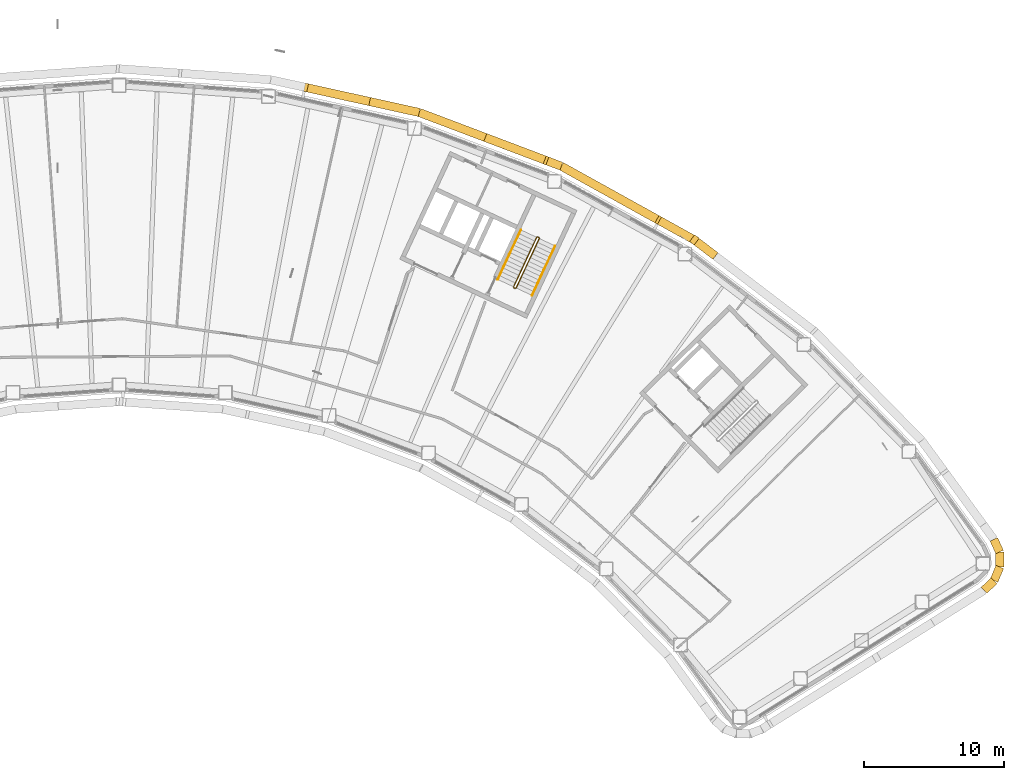
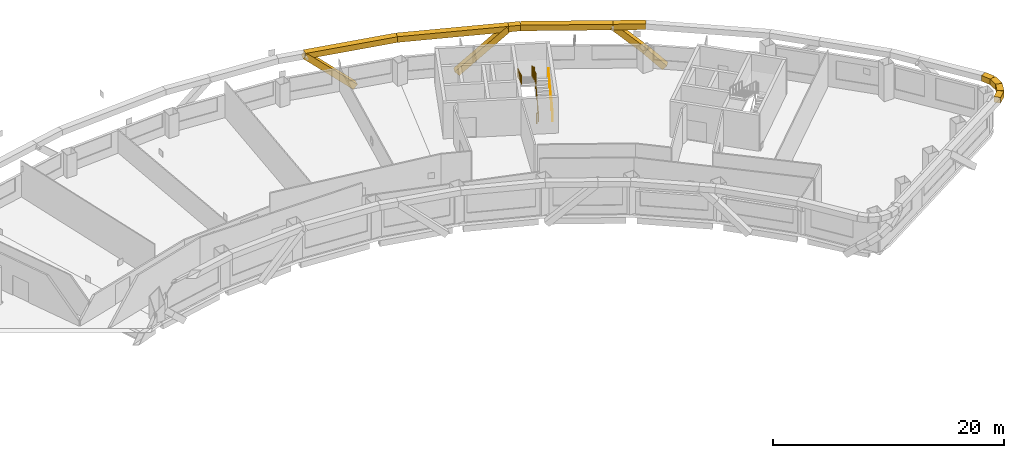
# One storey, part 18 of 19: 13 coverings, 3 railings.
"""IFC4 building model written with IfcOpenShell, lengths in metres."""

from ifc_helpers import new_model, si_unit, direction, frame, origin, origin_2d, place, context, subcontext, project, spatial, rectangle, circle, extrude, material, material_profile, profile_set, type_object, element, save


model = new_model("IFC4")

# Units and contexts
model_context = context("Model", 3, precision=1e-05, world=origin(), true_north=direction((0.0, 1.0)))
body_context = subcontext(model_context, "Body", "Model", "MODEL_VIEW")
ifc_project = project(units=[si_unit("LENGTHUNIT", "METRE"), si_unit("AREAUNIT", "SQUARE_METRE"), si_unit("VOLUMEUNIT", "CUBIC_METRE"), si_unit("PLANEANGLEUNIT", "RADIAN"), si_unit("MASSUNIT", "GRAM", prefix="KILO")], contexts=[model_context])

# Site, building, storey
site_placement = place(None, origin())
site = spatial("IfcSite", under=ifc_project, at=site_placement, CompositionType="ELEMENT")
building_placement = place(site_placement, origin())
building = spatial("IfcBuilding", under=site, at=building_placement, Name="Tuul Gate Civic Tower", CompositionType="ELEMENT")
storey_placement = place(building_placement, frame((0.0, 0.0, 163.39990234375)))
storey = spatial("IfcBuildingStorey", under=building, at=storey_placement, Name="Level 37", CompositionType="ELEMENT", Elevation=163.39990234375)

# Railings
ifc_material_1 = material(Name="Painted steel", Category="steel")
railing_type_1 = type_object("IfcRailingType", Name="Stair guard", PredefinedType="GUARDRAIL", material=ifc_material_1)
railing_1_placement = place(storey_placement, frame((33.645751953125, -5.238525390625, 0.0)))
element("IfcRailing", 1, at=railing_1_placement, inside=storey, type_object=railing_type_1, Name="Level 37 ST-4 stair guard 1", PredefinedType="GUARDRAIL", context=body_context, shape_type="SweptSolid", body=[
    extrude(circle(Radius=0.02392578125, at=origin_2d()), frame((0.0, 0.0, 1.076171875), z_axis=(-0.906307919131, 0.422617978463, 0.0), x_axis=(-0.422617978463, -0.906307919131, 0.0)), (0.0, 0.0, 1.0), 0.099853515625),
    extrude(circle(Radius=0.02392578125, at=origin_2d()), frame((-0.090576171875, 0.042236328125, 1.076171875), z_axis=(0.720179819621, -0.082882280952, 0.688818956559), x_axis=(0.114330889033, 0.993442724979, 0.0)), (0.0, 0.0, 1.0), 0.218017578125),
    extrude(circle(Radius=0.02392578125, at=origin_2d()), frame((0.06640625, 0.024169921875, 1.22607421875), z_axis=(0.377946903738, 0.810654114417, 0.447209173356), x_axis=(-0.906336612539, 0.422556439746, 0.0)), (0.0, 0.0, 1.0), 4.3603515625),
    extrude(circle(Radius=0.02392578125, at=origin_2d()), frame((1.71435546875, 3.558837890625, 3.17626953125), z_axis=(-0.342020437038, 0.939692513883, 0.0), x_axis=(-0.939692513883, -0.342020437038, 0.0)), (0.0, 0.0, 1.0), 0.070556640625),
    extrude(circle(Radius=0.02392578125, at=origin_2d()), frame((1.690185546875, 3.625244140625, 3.17626953125), z_axis=(-0.906307919131, 0.422617978463, 0.0), x_axis=(-0.422617978463, -0.906307919131, 0.0)), (0.0, 0.0, 1.0), 0.099853515625),
    extrude(circle(Radius=0.02392578125, at=origin_2d()), frame((1.599609375, 3.66748046875, 3.17626953125), z_axis=(-0.40070210376, -0.145843780413, 0.904526072458), x_axis=(0.342020437038, -0.939692513883, 0.0)), (0.0, 0.0, 1.0), 0.165771484375),
    extrude(circle(Radius=0.02392578125, at=origin_2d()), frame((1.533203125, 3.643310546875, 3.326171875), z_axis=(-0.377937439636, -0.810633814971, 0.447253965602), x_axis=(0.906336612539, -0.422556439746, 0.0)), (0.0, 0.0, 1.0), 4.3603515625),
    extrude(circle(Radius=0.02099609375, at=origin_2d()), origin(), (0.0, 0.0, 1.0), 1.052001953125),
    extrude(circle(Radius=0.02099609375, at=origin_2d()), frame((-0.090576171875, 0.042236328125, 0.0)), (0.0, 0.0, 1.0), 1.052001953125),
    extrude(circle(Radius=0.02099609375, at=origin_2d()), frame((0.06640625, 0.024169921875, 0.150146484375)), (0.0, 0.0, 1.0), 1.052001953125),
    extrude(circle(Radius=0.02099609375, at=origin_2d()), frame((0.478515625, 0.90771484375, 0.6376953125)), (0.0, 0.0, 1.0), 1.052001953125),
    extrude(circle(Radius=0.02099609375, at=origin_2d()), frame((0.890380859375, 1.79150390625, 1.125)), (0.0, 0.0, 1.0), 1.052001953125),
    extrude(circle(Radius=0.02099609375, at=origin_2d()), frame((1.30224609375, 2.67529296875, 1.612548828125)), (0.0, 0.0, 1.0), 1.052001953125),
    extrude(circle(Radius=0.02099609375, at=origin_2d()), frame((1.71435546875, 3.558837890625, 2.10009765625)), (0.0, 0.0, 1.0), 1.052001953125),
    extrude(circle(Radius=0.02099609375, at=origin_2d()), frame((1.690185546875, 3.625244140625, 2.10009765625)), (0.0, 0.0, 1.0), 1.052001953125),
    extrude(circle(Radius=0.02099609375, at=origin_2d()), frame((1.599609375, 3.66748046875, 2.10009765625)), (0.0, 0.0, 1.0), 1.052001953125),
    extrude(circle(Radius=0.02099609375, at=origin_2d()), frame((1.533203125, 3.643310546875, 2.25)), (0.0, 0.0, 1.0), 1.052001953125),
    extrude(circle(Radius=0.02099609375, at=origin_2d()), frame((1.12109375, 2.759765625, 2.737548828125)), (0.0, 0.0, 1.0), 1.052001953125),
    extrude(circle(Radius=0.02099609375, at=origin_2d()), frame((0.709228515625, 1.8759765625, 3.22509765625)), (0.0, 0.0, 1.0), 1.052001953125),
    extrude(circle(Radius=0.02099609375, at=origin_2d()), frame((0.29736328125, 0.9921875, 3.712646484375)), (0.0, 0.0, 1.0), 1.052001953125),
    extrude(circle(Radius=0.02099609375, at=origin_2d()), frame((-0.11474609375, 0.108642578125, 4.2001953125)), (0.0, 0.0, 1.0), 1.052001953125),
])
ifc_material_2 = material(Name="Painted steel", Category="steel")
railing_type_2 = type_object("IfcRailingType", Name="Stair handrail", PredefinedType="HANDRAIL", material=ifc_material_2)
railing_2_placement = place(storey_placement, frame((34.844970703125, -5.74267578125, 0.150146484375)))
element("IfcRailing", 2, at=railing_2_placement, inside=storey, type_object=railing_type_2, Name="Level 37 ST-4 stair handrail 1", PredefinedType="HANDRAIL", context=body_context, shape_type="SweptSolid", body=[
    extrude(circle(Radius=0.02392578125, at=origin_2d()), frame((0.0, 0.0, 0.8759765625), z_axis=(0.377994896215, 0.810636958585, 0.447199709091), x_axis=(-0.906312636903, 0.422607861012, 0.0)), (0.0, 0.0, 1.0), 4.3603515625),
    extrude(circle(Radius=0.02099609375, at=origin_2d()), origin(), (0.0, 0.0, 1.0), 0.851806640625),
    extrude(circle(Radius=0.02099609375, at=origin_2d()), frame((0.412109375, 0.8837890625, 0.487548828125)), (0.0, 0.0, 1.0), 0.851806640625),
    extrude(circle(Radius=0.02099609375, at=origin_2d()), frame((0.82421875, 1.767333984375, 0.97509765625)), (0.0, 0.0, 1.0), 0.851806640625),
    extrude(circle(Radius=0.02099609375, at=origin_2d()), frame((1.236083984375, 2.65087890625, 1.46240234375)), (0.0, 0.0, 1.0), 0.851806640625),
    extrude(circle(Radius=0.02099609375, at=origin_2d()), frame((1.648193359375, 3.53466796875, 1.949951171875)), (0.0, 0.0, 1.0), 0.851806640625),
])
railing_3_placement = place(storey_placement, frame((34.046142578125, -1.06689453125, 2.25)))
element("IfcRailing", 3, at=railing_3_placement, inside=storey, type_object=railing_type_2, Name="Level 37 ST-4 stair handrail 2", PredefinedType="HANDRAIL", context=body_context, shape_type="SweptSolid", body=[
    extrude(circle(Radius=0.02392578125, at=origin_2d()), frame((0.0, 0.0, 0.8759765625), z_axis=(-0.377985431313, -0.810616660428, 0.447244500863), x_axis=(0.906312636903, -0.422607861012, 0.0)), (0.0, 0.0, 1.0), 4.3603515625),
    extrude(circle(Radius=0.02099609375, at=origin_2d()), origin(), (0.0, 0.0, 1.0), 0.851806640625),
    extrude(circle(Radius=0.02099609375, at=origin_2d()), frame((-0.412109375, -0.8837890625, 0.487548828125)), (0.0, 0.0, 1.0), 0.851806640625),
    extrude(circle(Radius=0.02099609375, at=origin_2d()), frame((-0.82421875, -1.767333984375, 0.97509765625)), (0.0, 0.0, 1.0), 0.851806640625),
    extrude(circle(Radius=0.02099609375, at=origin_2d()), frame((-1.236083984375, -2.65087890625, 1.462646484375)), (0.0, 0.0, 1.0), 0.851806640625),
    extrude(circle(Radius=0.02099609375, at=origin_2d()), frame((-1.648193359375, -3.53466796875, 1.9501953125)), (0.0, 0.0, 1.0), 0.851806640625),
])

# Coverings
ifc_material_3 = material(Name="Terracotta baguette", Category="masonry")
ifc_material_profile = material_profile(ifc_material_3, rectangle(XDim=0.60009765625, YDim=0.60009765625, at=origin_2d()), Name="Terracotta baguette screen frame")
ifc_profile_set = profile_set([ifc_material_profile], Name="Terracotta baguette")
covering_type = type_object("IfcCoveringType", Name="Terracotta baguette screen frame", PredefinedType="CLADDING", material=ifc_profile_set)
covering_1_placement = place(storey_placement, frame((47.77734375, -2.80615234375, -0.349853515625), z_axis=(-0.583849714634, 0.444519530098, 0.679354030005), x_axis=(-0.605768691074, -0.795640806467, 0.0)))
element("IfcCovering", 4, at=covering_1_placement, inside=storey, type_object=covering_type, Name="Baguette 43", PredefinedType="CLADDING", context=body_context, shape_type="SweptSolid", body=[
    extrude(rectangle(XDim=0.60009765625, YDim=0.60009765625, at=origin_2d()), origin(), (0.0, 0.0, 1.0), 2.30078125),
])
covering_2_placement = place(storey_placement, frame((46.43408203125, -1.783447265625, 1.213134765625), z_axis=(-0.641770280565, 0.355763276181, 0.679384573202), x_axis=(-0.484834849005, -0.874605722135, 0.0)))
element("IfcCovering", 5, at=covering_2_placement, inside=storey, type_object=covering_type, Name="Baguette 44", PredefinedType="CLADDING", context=body_context, shape_type="SweptSolid", body=[
    extrude(rectangle(XDim=0.60009765625, YDim=0.60009765625, at=origin_2d()), origin(), (0.0, 0.0, 1.0), 3.88134765625),
])
covering_3_placement = place(storey_placement, frame((43.943115234375, -0.402587890625, 3.85009765625), z_axis=(-0.874634570388, 0.484782805267, 0.0), x_axis=(-0.484782805267, -0.874634570388, 0.0)))
element("IfcCovering", 6, at=covering_3_placement, inside=storey, type_object=covering_type, Name="Baguette 49", PredefinedType="CLADDING", context=body_context, shape_type="SweptSolid", body=[
    extrude(rectangle(XDim=0.60009765625, YDim=0.60009765625, at=origin_2d()), origin(), (0.0, 0.0, 1.0), 8.00341796875),
])
covering_4_placement = place(storey_placement, frame((36.943115234375, 3.477294921875, 3.85009765625), z_axis=(-0.935349569551, 0.353724727352, 0.0), x_axis=(-0.353724727352, -0.935349569551, 0.0)))
element("IfcCovering", 7, at=covering_4_placement, inside=storey, type_object=covering_type, Name="Baguette 50", PredefinedType="CLADDING", context=body_context, shape_type="SweptSolid", body=[
    extrude(rectangle(XDim=0.60009765625, YDim=0.60009765625, at=origin_2d()), origin(), (0.0, 0.0, 1.0), 1.069091796875),
])
for number, where, z_axis, x_axis, name in (
    (8, (35.943115234375, 3.85546875, 3.85009765625), (-0.686334381292, 0.259582017851, -0.679383759789), (-0.353758489664, -0.935336800832, 0.0), "Baguette 52"),
    (9, (23.056640625, 8.139404296875, -0.349853515625), (-0.716590378022, 0.157890787067, 0.679388496727), (-0.215174921103, -0.976575523617, 0.0), "Baguette 62"),
):
    element("IfcCovering", number, at=place(storey_placement, frame(where, z_axis=z_axis, x_axis=x_axis)), inside=storey, type_object=covering_type, Name=name, PredefinedType="CLADDING", context=body_context, shape_type="SweptSolid", body=[
        extrude(rectangle(XDim=0.60009765625, YDim=0.60009765625, at=origin_2d()), origin(), (0.0, 0.0, 1.0), 6.181884765625),
    ])
covering_5_placement = place(storey_placement, frame((46.43408203125, -1.783447265625, 3.85009765625), z_axis=(-0.874605722135, 0.484834849005, 0.0), x_axis=(-0.484834849005, -0.874605722135, 0.0)))
element("IfcCovering", 10, at=covering_5_placement, inside=storey, type_object=covering_type, Name="Baguette 421", PredefinedType="CLADDING", context=body_context, shape_type="SweptSolid", body=[
    extrude(rectangle(XDim=0.60009765625, YDim=0.60009765625, at=origin_2d()), origin(), (0.0, 0.0, 1.0), 2.84814453125),
])
covering_6_placement = place(storey_placement, frame((35.943115234375, 3.85546875, 3.85009765625), z_axis=(-0.935348087792, 0.353728645523, 0.0), x_axis=(-0.353728645523, -0.935348087792, 0.0)))
element("IfcCovering", 11, at=covering_6_placement, inside=storey, type_object=covering_type, Name="Baguette 422", PredefinedType="CLADDING", context=body_context, shape_type="SweptSolid", body=[
    extrude(rectangle(XDim=0.60009765625, YDim=0.60009765625, at=origin_2d()), origin(), (0.0, 0.0, 1.0), 9.781982421875),
])
covering_7_placement = place(storey_placement, frame((26.79345703125, 7.315673828125, 3.85009765625), z_axis=(-0.976566109565, 0.215217642513, 0.0), x_axis=(-0.215217642513, -0.976566109565, 0.0)))
element("IfcCovering", 12, at=covering_7_placement, inside=storey, type_object=covering_type, Name="Baguette 423", PredefinedType="CLADDING", context=body_context, shape_type="SweptSolid", body=[
    extrude(rectangle(XDim=0.60009765625, YDim=0.60009765625, at=origin_2d()), origin(), (0.0, 0.0, 1.0), 8.36279296875),
])
covering_8_placement = place(storey_placement, frame((67.114013671875, -26.795166015625, 3.85009765625), z_axis=(0.722137314744, 0.691749737011, 0.0), x_axis=(-0.691749737011, 0.722137314744, 0.0)))
element("IfcCovering", 13, at=covering_8_placement, inside=storey, type_object=covering_type, Name="Baguette 452", PredefinedType="CLADDING", context=body_context, shape_type="SweptSolid", body=[
    extrude(rectangle(XDim=0.60009765625, YDim=0.60009765625, at=origin_2d()), origin(), (0.0, 0.0, 1.0), 0.98828125),
])
covering_9_placement = place(storey_placement, frame((67.82763671875, -26.111572265625, 3.85009765625), z_axis=(0.385784883999, 0.922588761734, 0.0), x_axis=(-0.922588761734, 0.385784883999, 0.0)))
element("IfcCovering", 14, at=covering_9_placement, inside=storey, type_object=covering_type, Name="Baguette 453", PredefinedType="CLADDING", context=body_context, shape_type="SweptSolid", body=[
    extrude(rectangle(XDim=0.60009765625, YDim=0.60009765625, at=origin_2d()), origin(), (0.0, 0.0, 1.0), 1.06689453125),
])
covering_10_placement = place(storey_placement, frame((68.2392578125, -25.127197265625, 3.85009765625), z_axis=(-0.014633694716, 0.999892921757, 0.0), x_axis=(-0.999892921757, -0.014633694716, 0.0)))
element("IfcCovering", 15, at=covering_10_placement, inside=storey, type_object=covering_type, Name="Baguette 454", PredefinedType="CLADDING", context=body_context, shape_type="SweptSolid", body=[
    extrude(rectangle(XDim=0.60009765625, YDim=0.60009765625, at=origin_2d()), origin(), (0.0, 0.0, 1.0), 1.067626953125),
])
covering_11_placement = place(storey_placement, frame((68.2236328125, -24.0595703125, 3.85009765625), z_axis=(-0.413393330634, 0.910552554325, 0.0), x_axis=(-0.910552554325, -0.413393330634, 0.0)))
element("IfcCovering", 16, at=covering_11_placement, inside=storey, type_object=covering_type, Name="Baguette 455", PredefinedType="CLADDING", context=body_context, shape_type="SweptSolid", body=[
    extrude(rectangle(XDim=0.60009765625, YDim=0.60009765625, at=origin_2d()), origin(), (0.0, 0.0, 1.0), 0.988037109375),
])

save(model, "model.ifc")
